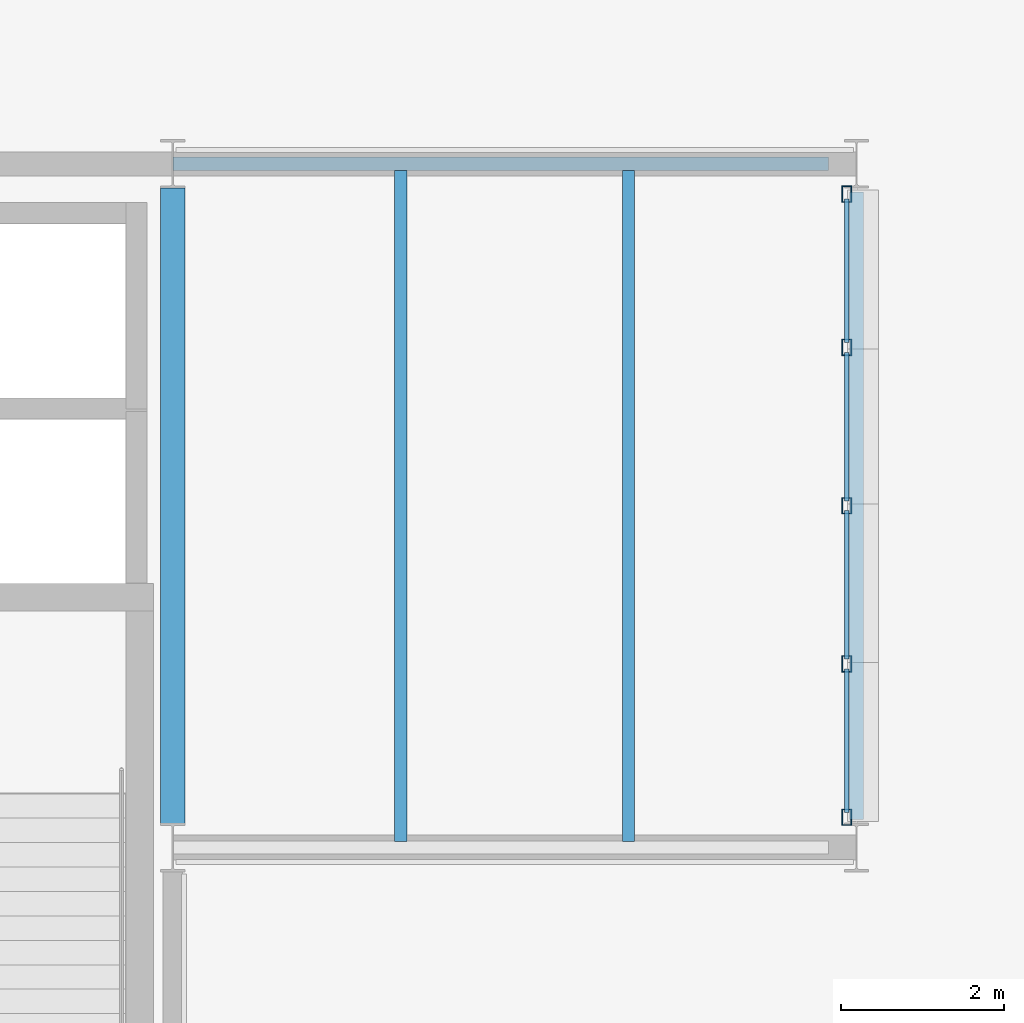
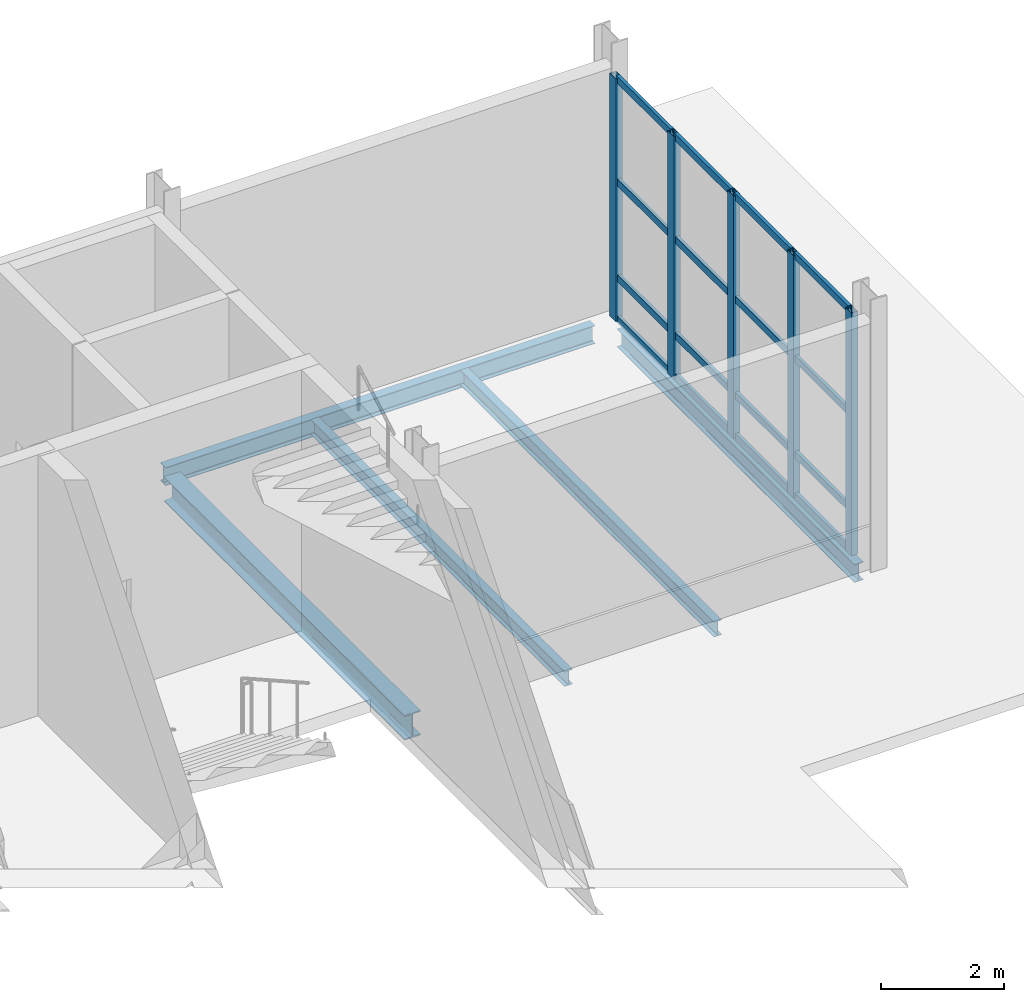
# One storey, part 69 of 124: 21 members, 5 beams, 1 element without a shape of its own.
"""IFC4 building model written with IfcOpenShell, lengths in metres."""

from ifc_helpers import new_model, si_unit, direction, frame, origin, origin_2d, place, context, subcontext, project, spatial, hollow_rectangle, i_section, extrude, material, material_profile, profile_set, type_object, element, aggregate, save


model = new_model("IFC4")

# Units and contexts
model_context = context("Model", 3, precision=1e-05, world=origin(), true_north=direction((0.0, 1.0)))
body_context = subcontext(model_context, "Body", "Model", "MODEL_VIEW")
ifc_project = project(units=[si_unit("LENGTHUNIT", "METRE"), si_unit("AREAUNIT", "SQUARE_METRE"), si_unit("VOLUMEUNIT", "CUBIC_METRE"), si_unit("PLANEANGLEUNIT", "RADIAN"), si_unit("MASSUNIT", "GRAM", prefix="KILO")], contexts=[model_context])

# Site, building, storey
site_placement = place(None, origin())
site = spatial("IfcSite", under=ifc_project, at=site_placement, CompositionType="ELEMENT")
building_placement = place(site_placement, origin())
building = spatial("IfcBuilding", under=site, at=building_placement, Name="Mersafa Astral City Hall", CompositionType="ELEMENT")
storey_placement = place(building_placement, origin())
storey = spatial("IfcBuildingStorey", under=building, at=storey_placement, Name="L00", CompositionType="ELEMENT", Elevation=0.0)

# Curtain wall, members
ifc_material_1 = material(Name="Anodised bronze aluminium framing", Category="aluminium")
curtain_wall_type = type_object("IfcCurtainWallType", Name="ENV-CW-2", PredefinedType="USERDEFINED", material=ifc_material_1)
curtain_wall_placement = place(storey_placement, origin())
curtain_wall = element("IfcCurtainWall", 1, at=curtain_wall_placement, inside=storey, type_object=curtain_wall_type, Name="L00 Unitised solar curtain wall 31", ObjectType="UNITISED CURTAIN WALL", PredefinedType="USERDEFINED")
ifc_material_profile_1 = material_profile(ifc_material_1, hollow_rectangle(XDim=0.1201171875, YDim=0.199951171875, WallThickness=0.008056640625, at=origin_2d()), Name="RHS 120x200x8")
ifc_profile_set_1 = profile_set([ifc_material_profile_1], Name="Anodised bronze aluminium framing")
member_type_1 = type_object("IfcMemberType", Name="ENV-CW-MUL-2", PredefinedType="MULLION", material=ifc_profile_set_1)
member_1_placement = place(storey_placement, frame((184.679931640625, 117.971923828125, -0.001953125), z_axis=(0.0, 0.0, 1.0), x_axis=(-1.0, 0.0, 0.0)))
member_1 = element("IfcMember", 2, at=member_1_placement, type_object=member_type_1, Name="CW-2 mullion 1", PredefinedType="MULLION", context=body_context, shape_type="SweptSolid", body=[
    extrude(hollow_rectangle(XDim=0.1201171875, YDim=0.199951171875, WallThickness=0.008056640625, at=origin_2d()), origin(), (0.0, 0.0, 1.0), 4.81396484375),
])
member_2_placement = place(storey_placement, frame((184.679931640625, 119.85595703125, -0.001953125), z_axis=(0.0, 0.0, 1.0), x_axis=(-1.0, 0.0, 0.0)))
member_2 = element("IfcMember", 3, at=member_2_placement, type_object=member_type_1, Name="CW-2 mullion 2", PredefinedType="MULLION", context=body_context, shape_type="SweptSolid", body=[
    extrude(hollow_rectangle(XDim=0.1201171875, YDim=0.199951171875, WallThickness=0.008056640625, at=origin_2d()), origin(), (0.0, 0.0, 1.0), 4.81396484375),
])
member_3_placement = place(storey_placement, frame((184.679931640625, 121.800048828125, -0.001953125), z_axis=(0.0, 0.0, 1.0), x_axis=(-1.0, 0.0, 0.0)))
member_3 = element("IfcMember", 4, at=member_3_placement, type_object=member_type_1, Name="CW-2 mullion 3", PredefinedType="MULLION", context=body_context, shape_type="SweptSolid", body=[
    extrude(hollow_rectangle(XDim=0.1201171875, YDim=0.199951171875, WallThickness=0.008056640625, at=origin_2d()), origin(), (0.0, 0.0, 1.0), 4.81396484375),
])
member_4_placement = place(storey_placement, frame((184.679931640625, 123.743896484375, -0.001953125), z_axis=(0.0, 0.0, 1.0), x_axis=(-1.0, 0.0, 0.0)))
member_4 = element("IfcMember", 5, at=member_4_placement, type_object=member_type_1, Name="CW-2 mullion 4", PredefinedType="MULLION", context=body_context, shape_type="SweptSolid", body=[
    extrude(hollow_rectangle(XDim=0.1201171875, YDim=0.199951171875, WallThickness=0.008056640625, at=origin_2d()), origin(), (0.0, 0.0, 1.0), 4.81396484375),
])
member_5_placement = place(storey_placement, frame((184.679931640625, 125.6279296875, -0.001953125), z_axis=(0.0, 0.0, 1.0), x_axis=(-1.0, 0.0, 0.0)))
member_5 = element("IfcMember", 6, at=member_5_placement, type_object=member_type_1, Name="CW-2 mullion 5", PredefinedType="MULLION", context=body_context, shape_type="SweptSolid", body=[
    extrude(hollow_rectangle(XDim=0.1201171875, YDim=0.199951171875, WallThickness=0.008056640625, at=origin_2d()), origin(), (0.0, 0.0, 1.0), 4.81396484375),
])
ifc_material_profile_2 = material_profile(ifc_material_1, hollow_rectangle(XDim=0.06005859375, YDim=0.139892578125, WallThickness=0.00390625, at=origin_2d()), Name="RHS 60x140x4")
ifc_profile_set_2 = profile_set([ifc_material_profile_2], Name="Anodised bronze aluminium framing")
member_type_2 = type_object("IfcMemberType", Name="ENV-CW-TRN-1", PredefinedType="USERDEFINED", material=ifc_profile_set_2)
member_6_placement = place(storey_placement, frame((184.679931640625, 118.031982421875, 0.028076171875), z_axis=(0.0, 1.0, 0.0), x_axis=(-1.0, 0.0, 0.0)))
member_6 = element("IfcMember", 7, at=member_6_placement, type_object=member_type_2, Name="CW-2 transom 1.1", ObjectType="TRANSOM", PredefinedType="USERDEFINED", context=body_context, shape_type="SweptSolid", body=[
    extrude(hollow_rectangle(XDim=0.06005859375, YDim=0.139892578125, WallThickness=0.00390625, at=origin_2d()), origin(), (0.0, 0.0, 1.0), 1.763916015625),
])
member_7_placement = place(storey_placement, frame((184.679931640625, 118.031982421875, 0.85009765625), z_axis=(0.0, 1.0, 0.0), x_axis=(-1.0, 0.0, 0.0)))
member_7 = element("IfcMember", 8, at=member_7_placement, type_object=member_type_2, Name="CW-2 transom 1.2", ObjectType="TRANSOM", PredefinedType="USERDEFINED", context=body_context, shape_type="SweptSolid", body=[
    extrude(hollow_rectangle(XDim=0.06005859375, YDim=0.139892578125, WallThickness=0.00390625, at=origin_2d()), origin(), (0.0, 0.0, 1.0), 1.763916015625),
])
member_8_placement = place(storey_placement, frame((184.679931640625, 118.031982421875, 2.75), z_axis=(0.0, 1.0, 0.0), x_axis=(-1.0, 0.0, 0.0)))
member_8 = element("IfcMember", 9, at=member_8_placement, type_object=member_type_2, Name="CW-2 transom 1.3", ObjectType="TRANSOM", PredefinedType="USERDEFINED", context=body_context, shape_type="SweptSolid", body=[
    extrude(hollow_rectangle(XDim=0.06005859375, YDim=0.139892578125, WallThickness=0.00390625, at=origin_2d()), origin(), (0.0, 0.0, 1.0), 1.763916015625),
])
member_9_placement = place(storey_placement, frame((184.679931640625, 118.031982421875, 4.781982421875), z_axis=(0.0, 1.0, 0.0), x_axis=(-1.0, 0.0, 0.0)))
member_9 = element("IfcMember", 10, at=member_9_placement, type_object=member_type_2, Name="CW-2 transom 1.4", ObjectType="TRANSOM", PredefinedType="USERDEFINED", context=body_context, shape_type="SweptSolid", body=[
    extrude(hollow_rectangle(XDim=0.06005859375, YDim=0.139892578125, WallThickness=0.00390625, at=origin_2d()), origin(), (0.0, 0.0, 1.0), 1.763916015625),
])
member_10_placement = place(storey_placement, frame((184.679931640625, 119.916015625, 0.028076171875), z_axis=(0.0, 1.0, 0.0), x_axis=(-1.0, 0.0, 0.0)))
member_10 = element("IfcMember", 11, at=member_10_placement, type_object=member_type_2, Name="CW-2 transom 2.1", ObjectType="TRANSOM", PredefinedType="USERDEFINED", context=body_context, shape_type="SweptSolid", body=[
    extrude(hollow_rectangle(XDim=0.06005859375, YDim=0.139892578125, WallThickness=0.00390625, at=origin_2d()), origin(), (0.0, 0.0, 1.0), 1.823974609375),
])
member_11_placement = place(storey_placement, frame((184.679931640625, 119.916015625, 0.85009765625), z_axis=(0.0, 1.0, 0.0), x_axis=(-1.0, 0.0, 0.0)))
member_11 = element("IfcMember", 12, at=member_11_placement, type_object=member_type_2, Name="CW-2 transom 2.2", ObjectType="TRANSOM", PredefinedType="USERDEFINED", context=body_context, shape_type="SweptSolid", body=[
    extrude(hollow_rectangle(XDim=0.06005859375, YDim=0.139892578125, WallThickness=0.00390625, at=origin_2d()), origin(), (0.0, 0.0, 1.0), 1.823974609375),
])
member_12_placement = place(storey_placement, frame((184.679931640625, 119.916015625, 2.75), z_axis=(0.0, 1.0, 0.0), x_axis=(-1.0, 0.0, 0.0)))
member_12 = element("IfcMember", 13, at=member_12_placement, type_object=member_type_2, Name="CW-2 transom 2.3", ObjectType="TRANSOM", PredefinedType="USERDEFINED", context=body_context, shape_type="SweptSolid", body=[
    extrude(hollow_rectangle(XDim=0.06005859375, YDim=0.139892578125, WallThickness=0.00390625, at=origin_2d()), origin(), (0.0, 0.0, 1.0), 1.823974609375),
])
member_13_placement = place(storey_placement, frame((184.679931640625, 119.916015625, 4.781982421875), z_axis=(0.0, 1.0, 0.0), x_axis=(-1.0, 0.0, 0.0)))
member_13 = element("IfcMember", 14, at=member_13_placement, type_object=member_type_2, Name="CW-2 transom 2.4", ObjectType="TRANSOM", PredefinedType="USERDEFINED", context=body_context, shape_type="SweptSolid", body=[
    extrude(hollow_rectangle(XDim=0.06005859375, YDim=0.139892578125, WallThickness=0.00390625, at=origin_2d()), origin(), (0.0, 0.0, 1.0), 1.823974609375),
])
member_14_placement = place(storey_placement, frame((184.679931640625, 121.860107421875, 0.028076171875), z_axis=(0.0, 1.0, 0.0), x_axis=(-1.0, 0.0, 0.0)))
member_14 = element("IfcMember", 15, at=member_14_placement, type_object=member_type_2, Name="CW-2 transom 3.1", ObjectType="TRANSOM", PredefinedType="USERDEFINED", context=body_context, shape_type="SweptSolid", body=[
    extrude(hollow_rectangle(XDim=0.06005859375, YDim=0.139892578125, WallThickness=0.00390625, at=origin_2d()), origin(), (0.0, 0.0, 1.0), 1.823974609375),
])
member_15_placement = place(storey_placement, frame((184.679931640625, 121.860107421875, 0.85009765625), z_axis=(0.0, 1.0, 0.0), x_axis=(-1.0, 0.0, 0.0)))
member_15 = element("IfcMember", 16, at=member_15_placement, type_object=member_type_2, Name="CW-2 transom 3.2", ObjectType="TRANSOM", PredefinedType="USERDEFINED", context=body_context, shape_type="SweptSolid", body=[
    extrude(hollow_rectangle(XDim=0.06005859375, YDim=0.139892578125, WallThickness=0.00390625, at=origin_2d()), origin(), (0.0, 0.0, 1.0), 1.823974609375),
])
member_16_placement = place(storey_placement, frame((184.679931640625, 121.860107421875, 2.75), z_axis=(0.0, 1.0, 0.0), x_axis=(-1.0, 0.0, 0.0)))
member_16 = element("IfcMember", 17, at=member_16_placement, type_object=member_type_2, Name="CW-2 transom 3.3", ObjectType="TRANSOM", PredefinedType="USERDEFINED", context=body_context, shape_type="SweptSolid", body=[
    extrude(hollow_rectangle(XDim=0.06005859375, YDim=0.139892578125, WallThickness=0.00390625, at=origin_2d()), origin(), (0.0, 0.0, 1.0), 1.823974609375),
])
member_17_placement = place(storey_placement, frame((184.679931640625, 121.860107421875, 4.781982421875), z_axis=(0.0, 1.0, 0.0), x_axis=(-1.0, 0.0, 0.0)))
member_17 = element("IfcMember", 18, at=member_17_placement, type_object=member_type_2, Name="CW-2 transom 3.4", ObjectType="TRANSOM", PredefinedType="USERDEFINED", context=body_context, shape_type="SweptSolid", body=[
    extrude(hollow_rectangle(XDim=0.06005859375, YDim=0.139892578125, WallThickness=0.00390625, at=origin_2d()), origin(), (0.0, 0.0, 1.0), 1.823974609375),
])
member_18_placement = place(storey_placement, frame((184.679931640625, 123.803955078125, 0.028076171875), z_axis=(0.0, 1.0, 0.0), x_axis=(-1.0, 0.0, 0.0)))
member_18 = element("IfcMember", 19, at=member_18_placement, type_object=member_type_2, Name="CW-2 transom 4.1", ObjectType="TRANSOM", PredefinedType="USERDEFINED", context=body_context, shape_type="SweptSolid", body=[
    extrude(hollow_rectangle(XDim=0.06005859375, YDim=0.139892578125, WallThickness=0.00390625, at=origin_2d()), origin(), (0.0, 0.0, 1.0), 1.76416015625),
])
member_19_placement = place(storey_placement, frame((184.679931640625, 123.803955078125, 0.85009765625), z_axis=(0.0, 1.0, 0.0), x_axis=(-1.0, 0.0, 0.0)))
member_19 = element("IfcMember", 20, at=member_19_placement, type_object=member_type_2, Name="CW-2 transom 4.2", ObjectType="TRANSOM", PredefinedType="USERDEFINED", context=body_context, shape_type="SweptSolid", body=[
    extrude(hollow_rectangle(XDim=0.06005859375, YDim=0.139892578125, WallThickness=0.00390625, at=origin_2d()), origin(), (0.0, 0.0, 1.0), 1.76416015625),
])
member_20_placement = place(storey_placement, frame((184.679931640625, 123.803955078125, 2.75), z_axis=(0.0, 1.0, 0.0), x_axis=(-1.0, 0.0, 0.0)))
member_20 = element("IfcMember", 21, at=member_20_placement, type_object=member_type_2, Name="CW-2 transom 4.3", ObjectType="TRANSOM", PredefinedType="USERDEFINED", context=body_context, shape_type="SweptSolid", body=[
    extrude(hollow_rectangle(XDim=0.06005859375, YDim=0.139892578125, WallThickness=0.00390625, at=origin_2d()), origin(), (0.0, 0.0, 1.0), 1.76416015625),
])
member_21_placement = place(storey_placement, frame((184.679931640625, 123.803955078125, 4.781982421875), z_axis=(0.0, 1.0, 0.0), x_axis=(-1.0, 0.0, 0.0)))
member_21 = element("IfcMember", 22, at=member_21_placement, type_object=member_type_2, Name="CW-2 transom 4.4", ObjectType="TRANSOM", PredefinedType="USERDEFINED", context=body_context, shape_type="SweptSolid", body=[
    extrude(hollow_rectangle(XDim=0.06005859375, YDim=0.139892578125, WallThickness=0.00390625, at=origin_2d()), origin(), (0.0, 0.0, 1.0), 1.76416015625),
])
aggregate(curtain_wall, [member_1, member_2, member_3, member_4, member_5, member_6, member_7, member_8, member_9, member_10, member_11, member_12, member_13, member_14, member_15, member_16, member_17, member_18, member_19, member_20, member_21])

# Beams
ifc_material_2 = material(Name="Steel S355", Category="steel")
ifc_material_profile_3 = material_profile(ifc_material_2, i_section(OverallWidth=0.300048828125, OverallDepth=0.489990234375, WebThickness=0.011962890625, FlangeThickness=0.02294921875, FilletRadius=0.027099609375, at=origin_2d()), Name="HEA 500")
ifc_profile_set_3 = profile_set([ifc_material_profile_3], Name="Steel S355")
beam_type_1 = type_object("IfcBeamType", Name="STR-BM-HEA500", PredefinedType="BEAM", material=ifc_profile_set_3)
beam_1_placement = place(storey_placement, frame((176.39990234375, 117.89501953125, -0.4951171875), z_axis=(0.0, 1.0, 0.0), x_axis=(-1.0, 0.0, 0.0)))
element("IfcBeam", 23, at=beam_1_placement, inside=storey, type_object=beam_type_1, Name="L00 Primary girder Y 21-14", PredefinedType="BEAM", context=body_context, shape_type="SweptSolid", body=[
    extrude(i_section(OverallWidth=0.300048828125, OverallDepth=0.489990234375, WebThickness=0.011962890625, FlangeThickness=0.02294921875, FilletRadius=0.027099609375, at=origin_2d()), origin(), (0.0, 0.0, 1.0), 7.81005859375),
])
ifc_material_profile_4 = material_profile(ifc_material_2, i_section(OverallWidth=0.14990234375, OverallDepth=0.300048828125, WebThickness=0.007080078125, FlangeThickness=0.0107421875, FilletRadius=0.014892578125, at=origin_2d()), Name="IPE 300")
ifc_profile_set_4 = profile_set([ifc_material_profile_4], Name="Steel S355")
beam_type_2 = type_object("IfcBeamType", Name="STR-BM-JOIST-IPE300", PredefinedType="JOIST", material=ifc_profile_set_4)
for number, where, z_axis, x_axis, name in (
    (24, (179.199951171875, 117.675048828125, -0.39990234375), (0.0, 1.0, 0.0), (-1.0, 0.0, 0.0), "L00 Composite secondary floor joist 223"),
    (25, (182.0, 117.675048828125, -0.39990234375), (0.0, 1.0, 0.0), (-1.0, 0.0, 0.0), "L00 Composite secondary floor joist 224"),
):
    element("IfcBeam", number, at=place(storey_placement, frame(where, z_axis=z_axis, x_axis=x_axis)), inside=storey, type_object=beam_type_2, Name=name, PredefinedType="JOIST", context=body_context, shape_type="SweptSolid", body=[
        extrude(i_section(OverallWidth=0.14990234375, OverallDepth=0.300048828125, WebThickness=0.007080078125, FlangeThickness=0.0107421875, FilletRadius=0.014892578125, at=origin_2d()), origin(), (0.0, 0.0, 1.0), 8.244873046875),
    ])
ifc_material_profile_5 = material_profile(ifc_material_2, i_section(OverallWidth=0.169921875, OverallDepth=0.360107421875, WebThickness=0.008056640625, FlangeThickness=0.0126953125, FilletRadius=0.01806640625, at=origin_2d()), Name="IPE 360")
ifc_profile_set_5 = profile_set([ifc_material_profile_5], Name="Steel S355")
beam_type_3 = type_object("IfcBeamType", Name="STR-BM-SPANDREL-IPE360", PredefinedType="SPANDREL", material=ifc_profile_set_5)
beam_2_placement = place(storey_placement, frame((176.403076171875, 126.0, -0.429931640625), z_axis=(1.0, 0.0, 0.0), x_axis=(0.0, 1.0, 0.0)))
element("IfcBeam", 26, at=beam_2_placement, inside=storey, type_object=beam_type_3, Name="L00 Primary girder X 21-15", PredefinedType="SPANDREL", context=body_context, shape_type="SweptSolid", body=[
    extrude(i_section(OverallWidth=0.169921875, OverallDepth=0.360107421875, WebThickness=0.008056640625, FlangeThickness=0.0126953125, FilletRadius=0.01806640625, at=origin_2d()), origin(), (0.0, 0.0, 1.0), 8.052001953125),
])
beam_3_placement = place(storey_placement, frame((184.800048828125, 117.945068359375, -0.429931640625), z_axis=(0.0, 1.0, 0.0), x_axis=(-1.0, 0.0, 0.0)))
element("IfcBeam", 27, at=beam_3_placement, inside=storey, type_object=beam_type_3, Name="L00 Primary girder Y 22-14", PredefinedType="SPANDREL", context=body_context, shape_type="SweptSolid", body=[
    extrude(i_section(OverallWidth=0.169921875, OverallDepth=0.360107421875, WebThickness=0.008056640625, FlangeThickness=0.0126953125, FilletRadius=0.01806640625, at=origin_2d()), origin(), (0.0, 0.0, 1.0), 7.7099609375),
])

save(model, "model.ifc")
